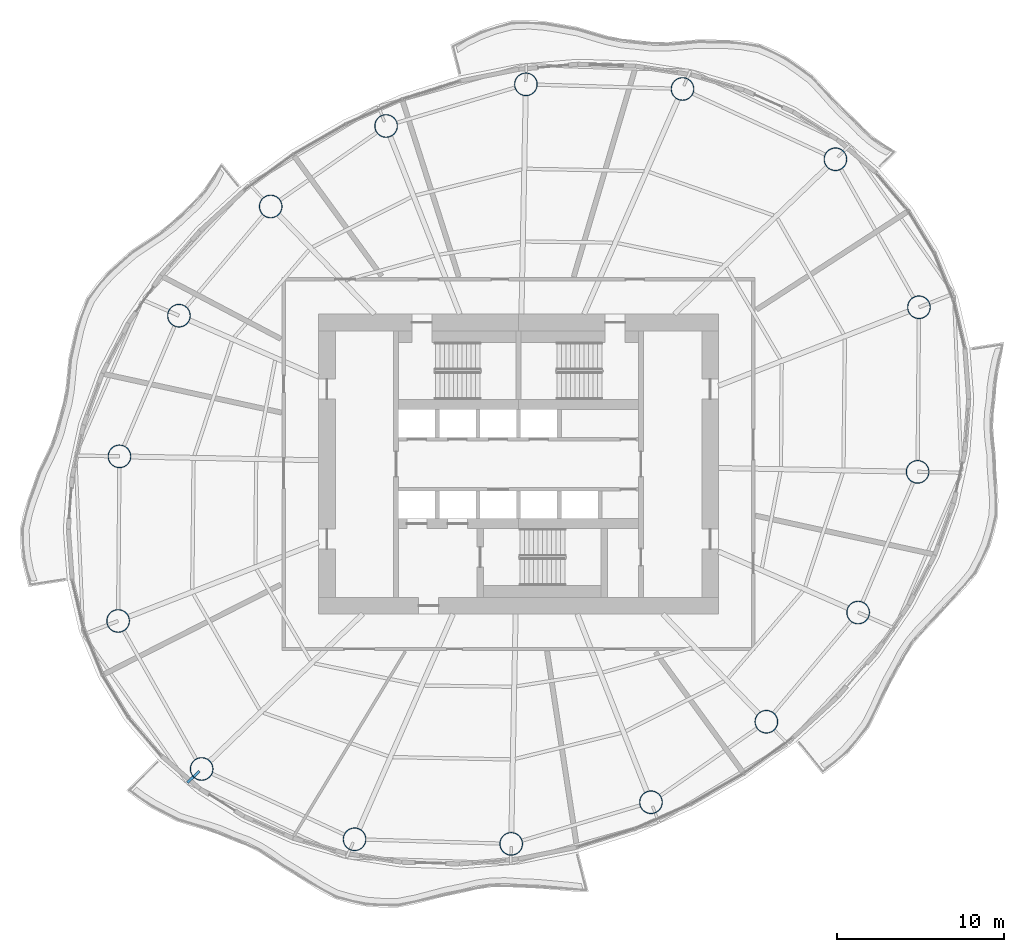
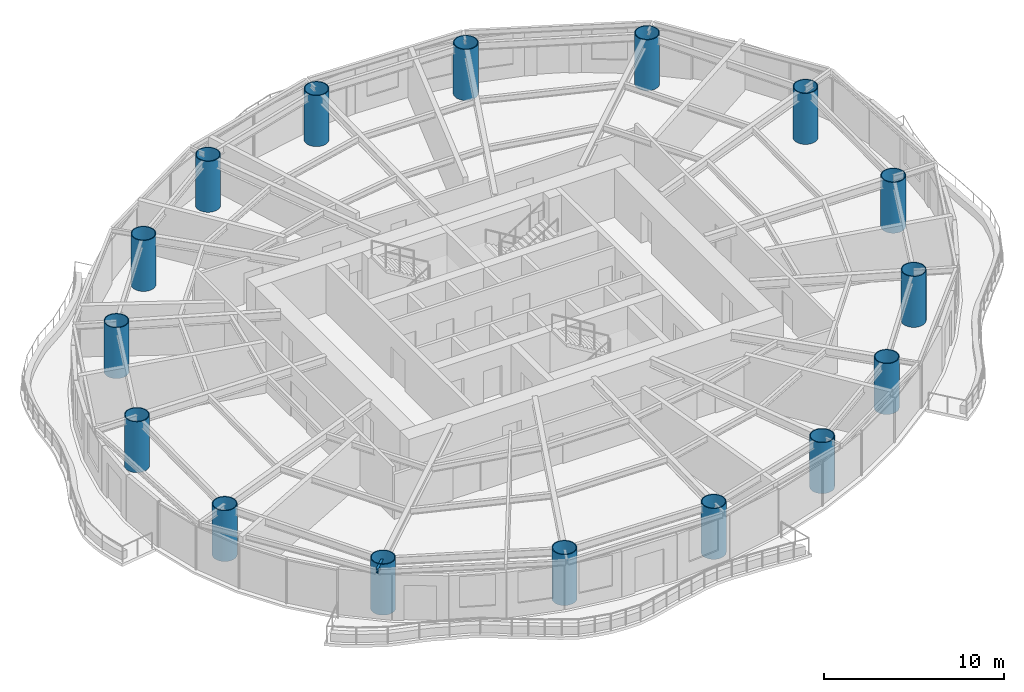
# One storey, part 1 of 14: 16 columns, 1 beam.
"""IFC4 building model written with IfcOpenShell, lengths in metres."""

from ifc_helpers import new_model, si_unit, direction, frame, origin, origin_2d, place, context, subcontext, project, spatial, hollow_circle, i_section, extrude, material, material_profile, profile_set, type_object, element, save


model = new_model("IFC4")

# Units and contexts
model_context = context("Model", 3, precision=1e-05, world=origin(), true_north=direction((0.0, 1.0)))
body_context = subcontext(model_context, "Body", "Model", "MODEL_VIEW")
ifc_project = project(units=[si_unit("LENGTHUNIT", "METRE"), si_unit("AREAUNIT", "SQUARE_METRE"), si_unit("VOLUMEUNIT", "CUBIC_METRE"), si_unit("PLANEANGLEUNIT", "RADIAN"), si_unit("MASSUNIT", "GRAM", prefix="KILO")], contexts=[model_context])

# Site, building, storey
site_placement = place(None, origin())
site = spatial("IfcSite", under=ifc_project, at=site_placement, CompositionType="ELEMENT")
building_placement = place(site_placement, origin())
building = spatial("IfcBuilding", under=site, at=building_placement, Name="Vermilion Reach Broadcast Tower", CompositionType="ELEMENT")
storey_placement = place(building_placement, frame((0.0, 0.0, 143.39990234375)))
storey = spatial("IfcBuildingStorey", under=building, at=storey_placement, Name="L33", CompositionType="ELEMENT", Elevation=143.39990234375)

# Columns
ifc_material_1 = material(Name="Concrete C70 infill in steel S460NL tube", Category="concrete")
ifc_material_profile_1 = material_profile(ifc_material_1, hollow_circle(Radius=0.699951171875, WallThickness=0.050048828125, at=origin_2d()), Name="Concrete C70 infill in steel S460NL tube CFT 1400x50")
ifc_profile_set_1 = profile_set([ifc_material_profile_1], Name="Concrete C70 infill in steel S460NL tube")
column_type = type_object("IfcColumnType", Name="MC3 CFT 1400x50", PredefinedType="COLUMN", material=ifc_profile_set_1)
for number, where, z_axis, x_axis, name in (
    (1, (13.02587890625, 18.302734375, 0.0), (0.0, 0.0, 1.0), (1.0, 0.0, 0.0), "Mega-column MC3-01"),
    (2, (3.84521484375, 22.524169921875, 0.0), (0.0, 0.0, 1.0), (1.0, 0.0, 0.0), "Mega-column MC3-02"),
    (3, (-5.558349609375, 22.800048828125, 0.0), (0.0, 0.0, 1.0), (1.0, 0.0, 0.0), "Mega-column MC3-03"),
    (4, (-13.95166015625, 20.30078125, 0.0), (0.0, 0.0, 1.0), (1.0, 0.0, 0.0), "Mega-column MC3-04"),
    (5, (-20.879150390625, 15.46728515625, 0.0), (0.0, 0.0, 1.0), (1.0, 0.0, 0.0), "Mega-column MC3-05"),
    (6, (-26.38818359375, 8.91162109375, 0.0), (0.0, 0.0, 1.0), (1.0, 0.0, 0.0), "Mega-column MC3-06"),
    (7, (-29.95947265625, 0.464111328125, 0.0), (0.0, 0.0, 1.0), (1.0, 0.0, 0.0), "Mega-column MC3-07"),
    (8, (-30.04052734375, -9.41650390625, 0.0), (0.0, 0.0, 1.0), (1.0, 0.0, 0.0), "Mega-column MC3-08"),
    (9, (-25.02587890625, -18.302734375, 0.0), (0.0, 0.0, 1.0), (1.0, 0.0, 0.0), "Mega-column MC3-09"),
    (10, (-15.84521484375, -22.524169921875, 0.0), (0.0, 0.0, 1.0), (1.0, 0.0, 0.0), "Mega-column MC3-10"),
    (11, (-6.441650390625, -22.800048828125, 0.0), (0.0, 0.0, 1.0), (1.0, 0.0, 0.0), "Mega-column MC3-11"),
    (12, (1.95166015625, -20.30078125, 0.0), (0.0, 0.0, 1.0), (1.0, 0.0, 0.0), "Mega-column MC3-12"),
    (13, (8.879150390625, -15.46728515625, 0.0), (0.0, 0.0, 1.0), (1.0, 0.0, 0.0), "Mega-column MC3-13"),
    (14, (14.38818359375, -8.91162109375, 0.0), (0.0, 0.0, 1.0), (1.0, 0.0, 0.0), "Mega-column MC3-14"),
    (15, (17.95947265625, -0.464111328125, 0.0), (0.0, 0.0, 1.0), (1.0, 0.0, 0.0), "Mega-column MC3-15"),
    (16, (18.04052734375, 9.41650390625, 0.0), (0.0, 0.0, 1.0), (1.0, 0.0, 0.0), "Mega-column MC3-16"),
):
    element("IfcColumn", number, at=place(storey_placement, frame(where, z_axis=z_axis, x_axis=x_axis)), inside=storey, type_object=column_type, Name=name, PredefinedType="COLUMN", context=body_context, shape_type="SweptSolid", body=[
        extrude(hollow_circle(Radius=0.699951171875, WallThickness=0.050048828125, at=origin_2d()), origin(), (0.0, 0.0, 1.0), 3.4501953125),
    ])

# Beam
ifc_material_2 = material(Name="Steel S355J2", Category="steel")
ifc_material_profile_2 = material_profile(ifc_material_2, i_section(OverallWidth=0.14990234375, OverallDepth=0.300048828125, WebThickness=0.006591796875, FlangeThickness=0.009033203125, at=origin_2d()), Name="S355J2 HN 300x150x6.5x9")
ifc_profile_set_2 = profile_set([ifc_material_profile_2], Name="Steel S355J2")
beam_type = type_object("IfcBeamType", Name="GS3 HN 300x150x6.5x9", PredefinedType="BEAM", material=ifc_profile_set_2)
beam_placement = place(storey_placement, frame((-25.1611328125, -18.4326171875, 3.300048828125), z_axis=(-0.720528024691, -0.693425818408, 0.0), x_axis=(0.693425818408, -0.720528024691, 0.0)))
element("IfcBeam", 17, at=beam_placement, inside=storey, type_object=beam_type, Name="Cantilever stub GS3-09", PredefinedType="BEAM", context=body_context, shape_type="SweptSolid", body=[
    extrude(i_section(OverallWidth=0.14990234375, OverallDepth=0.300048828125, WebThickness=0.006591796875, FlangeThickness=0.009033203125, at=origin_2d()), origin(), (0.0, 0.0, 1.0), 1.0),
])

save(model, "model.ifc")
